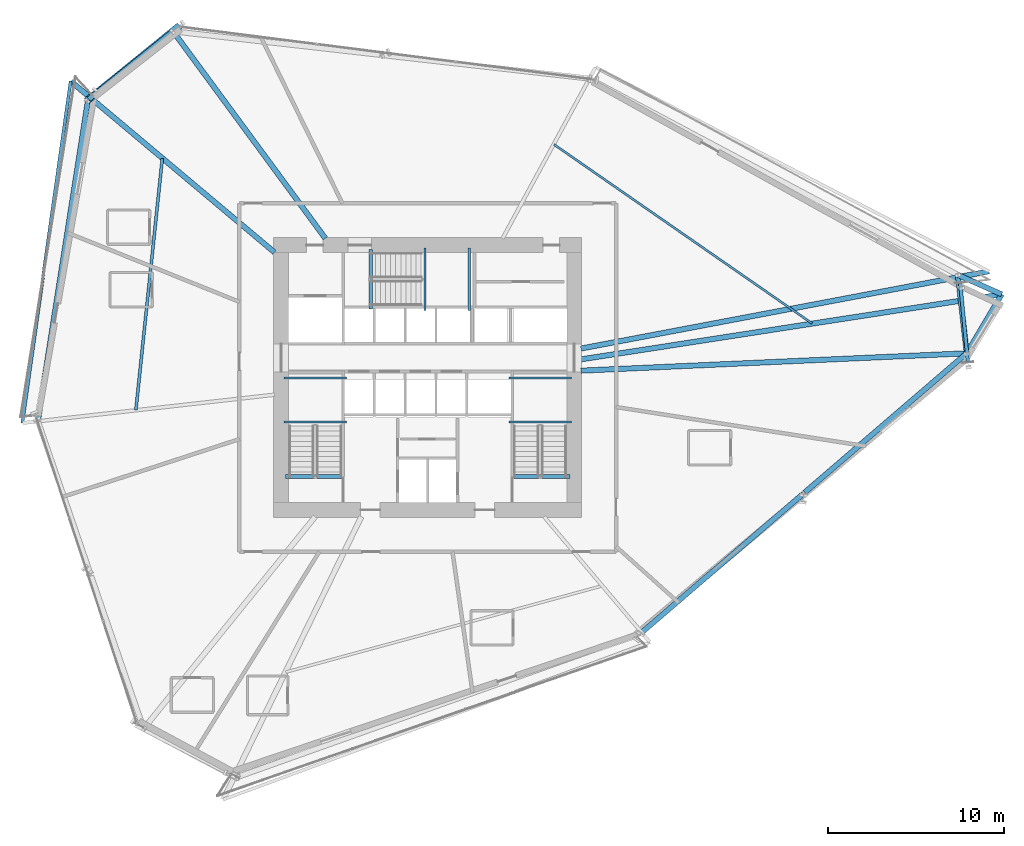
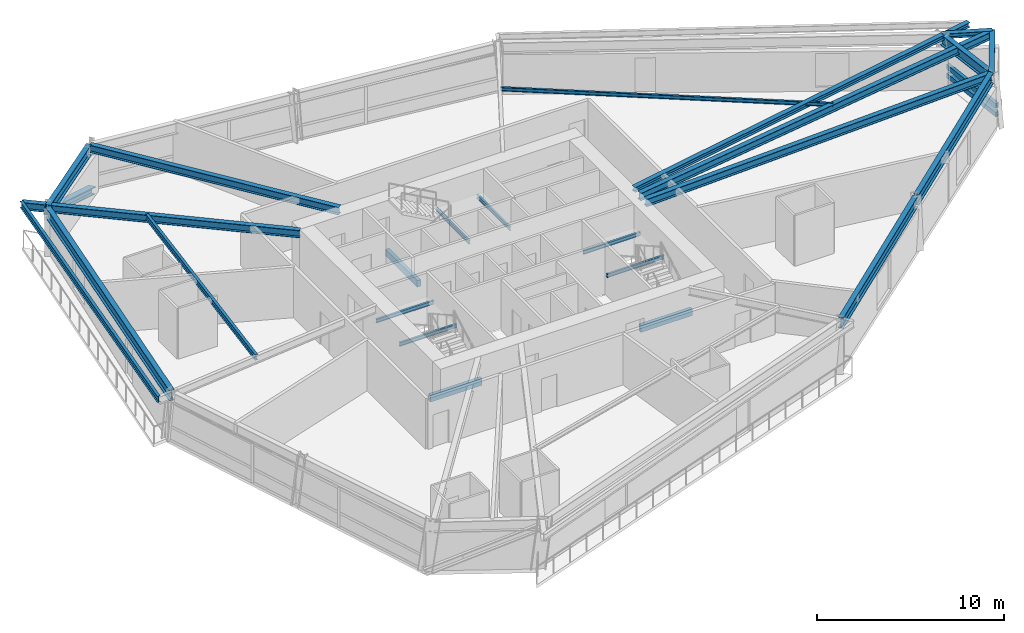
# One storey, part 7 of 22: 24 beams, 3 members.
"""IFC4 building model written with IfcOpenShell, lengths in metres."""

from ifc_helpers import new_model, si_unit, direction, frame, origin, origin_2d, place, context, subcontext, project, spatial, rectangle, hollow_rectangle, i_section, extrude, source, transform, mapped, material, material_profile, profile_set, type_object, element, save


model = new_model("IFC4")

# Units and contexts
model_context = context("Model", 3, precision=1e-05, world=origin(), true_north=direction((0.0, 1.0)))
body_context = subcontext(model_context, "Body", "Model", "MODEL_VIEW")
ifc_project = project(units=[si_unit("LENGTHUNIT", "METRE"), si_unit("AREAUNIT", "SQUARE_METRE"), si_unit("VOLUMEUNIT", "CUBIC_METRE"), si_unit("PLANEANGLEUNIT", "RADIAN"), si_unit("MASSUNIT", "GRAM", prefix="KILO")], contexts=[model_context])

# Site, building, storey
site_placement = place(None, origin())
site = spatial("IfcSite", under=ifc_project, at=site_placement, CompositionType="ELEMENT")
building_placement = place(site_placement, origin())
building = spatial("IfcBuilding", under=site, at=building_placement, Name="Olszyna Solenne Hotel", CompositionType="ELEMENT")
storey_placement = place(building_placement, frame((0.0, 0.0, 57.699951171875)))
storey = spatial("IfcBuildingStorey", under=building, at=storey_placement, Name="L14", CompositionType="ELEMENT", Elevation=57.699951171875)

# Beams
ifc_material_1 = material(Name="Steel S355J2", Category="steel")
ifc_material_profile_1 = material_profile(ifc_material_1, i_section(OverallWidth=0.300048828125, OverallDepth=0.699951171875, WebThickness=0.01708984375, FlangeThickness=0.031982421875, at=origin_2d()), Name="HEB 700", Category="load-bearing")
ifc_profile_set_1 = profile_set([ifc_material_profile_1], Name="Steel S355J2")
beam_type_1 = type_object("IfcBeamType", Name="BM-S1", PredefinedType="BEAM", material=ifc_profile_set_1)
shared_shape_1 = source(origin(), body_context, "Body", "SweptSolid", [
    extrude(i_section(OverallWidth=0.300048828125, OverallDepth=0.699951171875, WebThickness=0.01708984375, FlangeThickness=0.031982421875, at=origin_2d()), origin(), (0.0, 0.0, 1.0), 4.3583984375),
])
beam_1_placement = place(storey_placement, frame((68.622802734375, 28.038818359375, 2.949951171875), z_axis=(-0.112367964897, 0.993666664664, 0.0), x_axis=(-0.993666664664, -0.112367964897, 0.0)))
element("IfcBeam", 1, at=beam_1_placement, inside=storey, type_object=beam_type_1, Name="Perimeter spandrel beam BM-S1 B-L14-0436", PredefinedType="BEAM", context=body_context, shape_type="MappedRepresentation", body=[
    mapped(shared_shape_1, transform((0.0, 0.0, 0.0), x_axis=(1.0, 0.0, 0.0), y_axis=(0.0, 1.0, 0.0), z_axis=(0.0, 0.0, 1.0), scale=1.0)),
])
shared_shape_2 = source(origin(), body_context, "Body", "SweptSolid", [
    extrude(i_section(OverallWidth=0.300048828125, OverallDepth=0.699951171875, WebThickness=0.01708984375, FlangeThickness=0.031982421875, at=origin_2d()), origin(), (0.0, 0.0, 1.0), 6.086669921875),
])
beam_2_placement = place(storey_placement, frame((23.480712890625, 46.23681640625, 2.949951171875), z_axis=(-0.778232179237, -0.627976651795, 0.0), x_axis=(0.627976651795, -0.778232179237, 0.0)))
element("IfcBeam", 2, at=beam_2_placement, inside=storey, type_object=beam_type_1, Name="Perimeter spandrel beam BM-S1 B-L14-0440", PredefinedType="BEAM", context=body_context, shape_type="MappedRepresentation", body=[
    mapped(shared_shape_2, transform((0.0, 0.0, 0.0), x_axis=(1.0, 0.0, 0.0), y_axis=(0.0, 1.0, 0.0), z_axis=(0.0, 0.0, 1.0), scale=1.0)),
])
shared_shape_3 = source(origin(), body_context, "Body", "SweptSolid", [
    extrude(i_section(OverallWidth=0.300048828125, OverallDepth=0.699951171875, WebThickness=0.01708984375, FlangeThickness=0.031982421875, at=origin_2d()), origin(), (0.0, 0.0, 1.0), 18.35791015625),
])
beam_3_placement = place(storey_placement, frame((18.68798828125, 42.3173828125, 2.949951171875), z_axis=(-0.154228396376, -0.988035222931, 0.0), x_axis=(0.988035222931, -0.154228396376, 0.0)))
element("IfcBeam", 3, at=beam_3_placement, inside=storey, type_object=beam_type_1, Name="Perimeter spandrel beam BM-S1 B-L14-0441", PredefinedType="BEAM", context=body_context, shape_type="MappedRepresentation", body=[
    mapped(shared_shape_3, transform((0.0, 0.0, 0.0), x_axis=(1.0, 0.0, 0.0), y_axis=(0.0, 1.0, 0.0), z_axis=(0.0, 0.0, 1.0), scale=1.0)),
])
shared_shape_4 = source(origin(), body_context, "Body", "SweptSolid", [
    extrude(i_section(OverallWidth=0.300048828125, OverallDepth=0.699951171875, WebThickness=0.01708984375, FlangeThickness=0.031982421875, at=origin_2d()), origin(), (0.0, 0.0, 1.0), 12.07275390625),
])
beam_4_placement = place(storey_placement, frame((50.17529296875, 12.131103515625, 2.949951171875), z_axis=(0.758643883929, 0.651505531348, 0.0), x_axis=(-0.651505531348, 0.758643883929, 0.0)))
element("IfcBeam", 4, at=beam_4_placement, inside=storey, type_object=beam_type_1, Name="Perimeter spandrel beam BM-S1 B-L14-0446", PredefinedType="BEAM", context=body_context, shape_type="MappedRepresentation", body=[
    mapped(shared_shape_4, transform((0.0, 0.0, 0.0), x_axis=(1.0, 0.0, 0.0), y_axis=(0.0, 1.0, 0.0), z_axis=(0.0, 0.0, 1.0), scale=1.0)),
])
shared_shape_5 = source(origin(), body_context, "Body", "SweptSolid", [
    extrude(i_section(OverallWidth=0.300048828125, OverallDepth=0.699951171875, WebThickness=0.01708984375, FlangeThickness=0.031982421875, at=origin_2d()), origin(), (0.0, 0.0, 1.0), 12.072509765625),
])
beam_5_placement = place(storey_placement, frame((59.42529296875, 20.07470703125, 2.949951171875), z_axis=(0.758635300136, 0.65151552659, 0.0), x_axis=(-0.65151552659, 0.758635300136, 0.0)))
element("IfcBeam", 5, at=beam_5_placement, inside=storey, type_object=beam_type_1, Name="Perimeter spandrel beam BM-S1 B-L14-0447", PredefinedType="BEAM", context=body_context, shape_type="MappedRepresentation", body=[
    mapped(shared_shape_5, transform((0.0, 0.0, 0.0), x_axis=(1.0, 0.0, 0.0), y_axis=(0.0, 1.0, 0.0), z_axis=(0.0, 0.0, 1.0), scale=1.0)),
])
ifc_material_profile_2 = material_profile(ifc_material_1, i_section(OverallWidth=0.300048828125, OverallDepth=0.489990234375, WebThickness=0.011962890625, FlangeThickness=0.02294921875, at=origin_2d()), Name="HEA 500", Category="load-bearing")
ifc_profile_set_2 = profile_set([ifc_material_profile_2], Name="Steel S355J2")
beam_type_2 = type_object("IfcBeamType", Name="BM-G1", PredefinedType="BEAM", material=ifc_profile_set_2)
shared_shape_6 = source(origin(), body_context, "Body", "SweptSolid", [
    extrude(i_section(OverallWidth=0.300048828125, OverallDepth=0.489990234375, WebThickness=0.011962890625, FlangeThickness=0.02294921875, at=origin_2d()), origin(), (0.0, 0.0, 1.0), 21.8916015625),
])
beam_6_placement = place(storey_placement, frame((68.569580078125, 27.9765625, 3.054931640625), z_axis=(-0.998987514529, -0.044988285314, 0.0), x_axis=(0.044988285314, -0.998987514529, 0.0)))
element("IfcBeam", 6, at=beam_6_placement, inside=storey, type_object=beam_type_2, Name="Radial floor girder BM-G1 B-L14-0448", PredefinedType="BEAM", context=body_context, shape_type="MappedRepresentation", body=[
    mapped(shared_shape_6, transform((0.0, 0.0, 0.0), x_axis=(1.0, 0.0, 0.0), y_axis=(0.0, 1.0, 0.0), z_axis=(0.0, 0.0, 1.0), scale=1.0)),
])
shared_shape_7 = source(origin(), body_context, "Body", "SweptSolid", [
    extrude(i_section(OverallWidth=0.300048828125, OverallDepth=0.489990234375, WebThickness=0.011962890625, FlangeThickness=0.02294921875, at=origin_2d()), origin(), (0.0, 0.0, 1.0), 24.179443359375),
])
beam_7_placement = place(storey_placement, frame((70.595947265625, 31.32568359375, 3.054931640625), z_axis=(-0.988265233587, -0.152747596, 0.0), x_axis=(0.152747596, -0.988265233587, 0.0)))
element("IfcBeam", 7, at=beam_7_placement, inside=storey, type_object=beam_type_2, Name="Radial floor girder BM-G1 B-L14-0449", PredefinedType="BEAM", context=body_context, shape_type="MappedRepresentation", body=[
    mapped(shared_shape_7, transform((0.0, 0.0, 0.0), x_axis=(1.0, 0.0, 0.0), y_axis=(0.0, 1.0, 0.0), z_axis=(0.0, 0.0, 1.0), scale=1.0)),
])
shared_shape_8 = source(origin(), body_context, "Body", "SweptSolid", [
    extrude(i_section(OverallWidth=0.300048828125, OverallDepth=0.489990234375, WebThickness=0.011962890625, FlangeThickness=0.02294921875, at=origin_2d()), origin(), (0.0, 0.0, 1.0), 14.545166015625),
])
beam_8_placement = place(storey_placement, frame((23.56298828125, 46.226318359375, 3.054931640625), z_axis=(0.592548413392, -0.805534839586, 0.0), x_axis=(0.805534839586, 0.592548413392, 0.0)))
element("IfcBeam", 8, at=beam_8_placement, inside=storey, type_object=beam_type_2, Name="Radial floor girder BM-G1 B-L14-0451", PredefinedType="BEAM", context=body_context, shape_type="MappedRepresentation", body=[
    mapped(shared_shape_8, transform((0.0, 0.0, 0.0), x_axis=(1.0, 0.0, 0.0), y_axis=(0.0, 1.0, 0.0), z_axis=(0.0, 0.0, 1.0), scale=1.0)),
])
shared_shape_9 = source(origin(), body_context, "Body", "SweptSolid", [
    extrude(i_section(OverallWidth=0.300048828125, OverallDepth=0.489990234375, WebThickness=0.011962890625, FlangeThickness=0.02294921875, at=origin_2d()), origin(), (0.0, 0.0, 1.0), 15.098388671875),
])
beam_9_placement = place(storey_placement, frame((17.72509765625, 43.427978515625, 3.054931640625), z_axis=(0.765892774399, -0.642968318134, 0.0), x_axis=(0.642968318134, 0.765892774399, 0.0)))
element("IfcBeam", 9, at=beam_9_placement, inside=storey, type_object=beam_type_2, Name="Radial floor girder BM-G1 B-L14-0452", PredefinedType="BEAM", context=body_context, shape_type="MappedRepresentation", body=[
    mapped(shared_shape_9, transform((0.0, 0.0, 0.0), x_axis=(1.0, 0.0, 0.0), y_axis=(0.0, 1.0, 0.0), z_axis=(0.0, 0.0, 1.0), scale=1.0)),
])
ifc_material_profile_3 = material_profile(ifc_material_1, i_section(OverallWidth=0.300048828125, OverallDepth=0.31005859375, WebThickness=0.009033203125, FlangeThickness=0.015380859375, at=origin_2d()), Name="HEA 320", Category="load-bearing")
ifc_profile_set_3 = profile_set([ifc_material_profile_3], Name="Steel S355J2")
beam_type_3 = type_object("IfcBeamType", Name="BM-G3", PredefinedType="BEAM", material=ifc_profile_set_3)
shared_shape_10 = source(origin(), body_context, "Body", "SweptSolid", [
    extrude(i_section(OverallWidth=0.300048828125, OverallDepth=0.31005859375, WebThickness=0.009033203125, FlangeThickness=0.015380859375, at=origin_2d()), origin(), (0.0, 0.0, 1.0), 3.89404296875),
])
beam_10_placement = place(storey_placement, frame((68.629638671875, 27.979248046875, 3.14501953125), z_axis=(0.510017189507, 0.860164208978, 0.0), x_axis=(-0.860164208978, 0.510017189507, 0.0)))
element("IfcBeam", 10, at=beam_10_placement, inside=storey, type_object=beam_type_3, Name="Prism side edge beam BM-G3 B-L14-0457", PredefinedType="BEAM", context=body_context, shape_type="MappedRepresentation", body=[
    mapped(shared_shape_10, transform((0.0, 0.0, 0.0), x_axis=(1.0, 0.0, 0.0), y_axis=(0.0, 1.0, 0.0), z_axis=(0.0, 0.0, 1.0), scale=1.0)),
])
shared_shape_11 = source(origin(), body_context, "Body", "SweptSolid", [
    extrude(i_section(OverallWidth=0.300048828125, OverallDepth=0.31005859375, WebThickness=0.009033203125, FlangeThickness=0.015380859375, at=origin_2d()), origin(), (0.0, 0.0, 1.0), 2.7216796875),
])
beam_11_placement = place(storey_placement, frame((68.12646484375, 32.42919921875, 3.14501953125), z_axis=(0.914627210646, -0.404298238366, 0.0), x_axis=(0.404298238366, 0.914627210646, 0.0)))
element("IfcBeam", 11, at=beam_11_placement, inside=storey, type_object=beam_type_3, Name="Prism side edge beam BM-G3 B-L14-0458", PredefinedType="BEAM", context=body_context, shape_type="MappedRepresentation", body=[
    mapped(shared_shape_11, transform((0.0, 0.0, 0.0), x_axis=(1.0, 0.0, 0.0), y_axis=(0.0, 1.0, 0.0), z_axis=(0.0, 0.0, 1.0), scale=1.0)),
])
shared_shape_12 = source(origin(), body_context, "Body", "SweptSolid", [
    extrude(i_section(OverallWidth=0.300048828125, OverallDepth=0.31005859375, WebThickness=0.009033203125, FlangeThickness=0.015380859375, at=origin_2d()), origin(), (0.0, 0.0, 1.0), 23.60595703125),
])
beam_12_placement = place(storey_placement, frame((69.89501953125, 32.6376953125, 3.14501953125), z_axis=(-0.982550481813, -0.185996103964, 0.0), x_axis=(0.185996103964, -0.982550481813, 0.0)))
element("IfcBeam", 12, at=beam_12_placement, inside=storey, type_object=beam_type_3, Name="Loggia/prism radial back-span girder BM-G3 B-L14-0459", PredefinedType="BEAM", context=body_context, shape_type="MappedRepresentation", body=[
    mapped(shared_shape_12, transform((0.0, 0.0, 0.0), x_axis=(1.0, 0.0, 0.0), y_axis=(0.0, 1.0, 0.0), z_axis=(0.0, 0.0, 1.0), scale=1.0)),
])
ifc_material_profile_4 = material_profile(ifc_material_1, i_section(OverallWidth=0.1201171875, OverallDepth=0.239990234375, WebThickness=0.006103515625, FlangeThickness=0.009765625, at=origin_2d()), Name="IPE 240", Category="load-bearing")
ifc_profile_set_4 = profile_set([ifc_material_profile_4], Name="Steel S355J2")
beam_type_4 = type_object("IfcBeamType", Name="JS-03", PredefinedType="JOIST", material=ifc_profile_set_4)
shared_shape_13 = source(origin(), body_context, "Body", "SweptSolid", [
    extrude(i_section(OverallWidth=0.1201171875, OverallDepth=0.239990234375, WebThickness=0.006103515625, FlangeThickness=0.009765625, at=origin_2d()), origin(), (0.0, 0.0, 1.0), 17.84326171875),
])
beam_13_placement = place(storey_placement, frame((59.83740234375, 29.6767578125, 3.179931640625), z_axis=(-0.821730383004, 0.569876458233, 0.0), x_axis=(-0.569876458233, -0.821730383004, 0.0)))
element("IfcBeam", 13, at=beam_13_placement, inside=storey, type_object=beam_type_4, Name="Secondary composite floor joist JS-03 B-L14-0460", PredefinedType="JOIST", context=body_context, shape_type="MappedRepresentation", body=[
    mapped(shared_shape_13, transform((0.0, 0.0, 0.0), x_axis=(1.0, 0.0, 0.0), y_axis=(0.0, 1.0, 0.0), z_axis=(0.0, 0.0, 1.0), scale=1.0)),
])
ifc_material_profile_5 = material_profile(ifc_material_1, i_section(OverallWidth=0.169921875, OverallDepth=0.360107421875, WebThickness=0.008056640625, FlangeThickness=0.0126953125, at=origin_2d()), Name="IPE 360", Category="load-bearing")
ifc_profile_set_5 = profile_set([ifc_material_profile_5], Name="Steel S355J2")
beam_type_5 = type_object("IfcBeamType", Name="JS-01", PredefinedType="JOIST", material=ifc_profile_set_5)
shared_shape_14 = source(origin(), body_context, "Body", "SweptSolid", [
    extrude(i_section(OverallWidth=0.169921875, OverallDepth=0.360107421875, WebThickness=0.008056640625, FlangeThickness=0.0126953125, at=origin_2d()), origin(), (0.0, 0.0, 1.0), 14.365234375),
])
beam_14_placement = place(storey_placement, frame((22.918212890625, 39.046630859375, 3.1201171875), z_axis=(-0.104520232689, -0.994522760403, 0.0), x_axis=(0.994522760403, -0.104520232689, 0.0)))
element("IfcBeam", 14, at=beam_14_placement, inside=storey, type_object=beam_type_5, Name="Secondary composite floor joist JS-01 B-L14-0461", PredefinedType="JOIST", context=body_context, shape_type="MappedRepresentation", body=[
    mapped(shared_shape_14, transform((0.0, 0.0, 0.0), x_axis=(1.0, 0.0, 0.0), y_axis=(0.0, 1.0, 0.0), z_axis=(0.0, 0.0, 1.0), scale=1.0)),
])
ifc_material_profile_6 = material_profile(ifc_material_1, i_section(OverallWidth=0.179931640625, OverallDepth=0.39990234375, WebThickness=0.008544921875, FlangeThickness=0.013427734375, at=origin_2d()), Name="IPE 400", Category="load-bearing")
ifc_profile_set_6 = profile_set([ifc_material_profile_6], Name="Steel S355J2")
beam_type_6 = type_object("IfcBeamType", Name="BM-F5", PredefinedType="BEAM", material=ifc_profile_set_6)
shared_shape_15 = source(origin(), body_context, "Body", "SweptSolid", [
    extrude(i_section(OverallWidth=0.179931640625, OverallDepth=0.39990234375, WebThickness=0.008544921875, FlangeThickness=0.013427734375, at=origin_2d()), origin(), (0.0, 0.0, 1.0), 19.618408203125),
])
beam_15_placement = place(storey_placement, frame((17.709716796875, 43.44091796875, 3.10009765625), z_axis=(-0.139999561528, -0.990151565556, 0.0), x_axis=(0.990151565556, -0.139999561528, 0.0)))
element("IfcBeam", 15, at=beam_15_placement, inside=storey, type_object=beam_type_6, Name="Loggia outer edge beam BM-F5 B-L14-0464", PredefinedType="BEAM", context=body_context, shape_type="MappedRepresentation", body=[
    mapped(shared_shape_15, transform((0.0, 0.0, 0.0), x_axis=(1.0, 0.0, 0.0), y_axis=(0.0, 1.0, 0.0), z_axis=(0.0, 0.0, 1.0), scale=1.0)),
])

# Members
ifc_material_profile_7 = material_profile(ifc_material_1, hollow_rectangle(XDim=0.199951171875, YDim=0.300048828125, WallThickness=0.01611328125, at=origin_2d()), Name="RHS 300x200x16", Category="load-bearing")
ifc_profile_set_7 = profile_set([ifc_material_profile_7], Name="Steel S355J2")
member_type_1 = type_object("IfcMemberType", Name="CH-PR1", PredefinedType="CHORD", material=ifc_profile_set_7)
shared_shape_16 = source(origin(), body_context, "Body", "SweptSolid", [
    extrude(hollow_rectangle(XDim=0.199951171875, YDim=0.300048828125, WallThickness=0.01611328125, at=origin_2d()), origin(), (0.0, 0.0, 1.0), 4.5166015625),
])
for number, where, z_axis, x_axis, name in (
    (16, (68.693115234375, 27.483642578125, 1.35009765625), (-0.096704244049, 0.995313161363, 0.0), (-0.995313161363, -0.096704244049, 0.0), "Glass-prism tie chord CH-PR1 M-L14-PR1"),
    (17, (68.693115234375, 27.483642578125, 0.780029296875), (-0.096704244049, 0.995313161363, 0.0), (-0.995313161363, -0.096704244049, 0.0), "Glass-prism tie chord CH-PR1 M-L14-PR2"),
):
    element("IfcMember", number, at=place(storey_placement, frame(where, z_axis=z_axis, x_axis=x_axis)), inside=storey, type_object=member_type_1, Name=name, PredefinedType="CHORD", context=body_context, shape_type="MappedRepresentation", body=[
        mapped(shared_shape_16, transform((0.0, 0.0, 0.0), x_axis=(1.0, 0.0, 0.0), y_axis=(0.0, 1.0, 0.0), z_axis=(0.0, 0.0, 1.0), scale=1.0)),
    ])
ifc_material_2 = material(Name="Steel S460M", Category="steel")
ifc_material_profile_8 = material_profile(ifc_material_2, i_section(OverallWidth=0.412109375, OverallDepth=0.43505859375, WebThickness=0.031494140625, FlangeThickness=0.050048828125, at=origin_2d()), Name="HD 400x463", Category="load-bearing")
ifc_profile_set_8 = profile_set([ifc_material_profile_8], Name="Steel S460M")
member_type_2 = type_object("IfcMemberType", Name="BR-T1", PredefinedType="BRACE", material=ifc_profile_set_8)
shared_shape_17 = source(origin(), body_context, "Body", "SweptSolid", [
    extrude(i_section(OverallWidth=0.412109375, OverallDepth=0.43505859375, WebThickness=0.031494140625, FlangeThickness=0.050048828125, at=origin_2d()), origin(), (0.0, 0.0, 1.0), 7.221923828125),
])
member_placement = place(storey_placement, frame((23.835693359375, 46.537841796875, 0.010009765625), z_axis=(-0.711493929644, -0.576172496643, 0.402245748507), x_axis=(0.629330993794, -0.777137375404, 0.0)))
element("IfcMember", 18, at=member_placement, inside=storey, type_object=member_type_2, Name="Perimeter braced-tube diagonal BR-T1 BR-L14-2", PredefinedType="BRACE", context=body_context, shape_type="MappedRepresentation", body=[
    mapped(shared_shape_17, transform((0.0, 0.0, 0.0), x_axis=(1.0, 0.0, 0.0), y_axis=(0.0, 1.0, 0.0), z_axis=(0.0, 0.0, 1.0), scale=1.0)),
])

# Beams
shared_shape_18 = source(origin(), body_context, "Body", "SweptSolid", [
    extrude(i_section(OverallWidth=0.1201171875, OverallDepth=0.239990234375, WebThickness=0.006103515625, FlangeThickness=0.009765625, at=origin_2d()), origin(), (0.0, 0.0, 1.0), 3.539794921875),
])
for number, where, z_axis, x_axis, name in (
    (19, (33.3798828125, 24.070068359375, 1.449951171875), (-1.0, 0.0, 0.0), (0.0, -1.0, 0.0), "Stair landing support beam JS-03 SLB-ST1-0033"),
    (20, (33.3798828125, 26.580078125, 1.449951171875), (-1.0, 0.0, 0.0), (0.0, -1.0, 0.0), "Stair landing support beam JS-03 SLB-ST1-0034"),
    (21, (46.159912109375, 24.070068359375, 1.449951171875), (-1.0, 0.0, 0.0), (0.0, -1.0, 0.0), "Stair landing support beam JS-03 SLB-ST2-0273"),
    (22, (46.159912109375, 26.580078125, 1.449951171875), (-1.0, 0.0, 0.0), (0.0, -1.0, 0.0), "Stair landing support beam JS-03 SLB-ST2-0274"),
):
    element("IfcBeam", number, at=place(storey_placement, frame(where, z_axis=z_axis, x_axis=x_axis)), inside=storey, type_object=beam_type_4, Name=name, PredefinedType="JOIST", context=body_context, shape_type="MappedRepresentation", body=[
        mapped(shared_shape_18, transform((0.0, 0.0, 0.0), x_axis=(1.0, 0.0, 0.0), y_axis=(0.0, 1.0, 0.0), z_axis=(0.0, 0.0, 1.0), scale=1.0)),
    ])
ifc_material_3 = material(Name="Concrete C50/60", Category="concrete")
ifc_material_profile_9 = material_profile(ifc_material_3, rectangle(XDim=0.219970703125, YDim=0.43994140625, at=origin_2d()), Name="RC 220x440", Category="load-bearing")
ifc_profile_set_9 = profile_set([ifc_material_profile_9], Name="Concrete C50/60")
beam_type_7 = type_object("IfcBeamType", Name="BM-ST1", PredefinedType="BEAM", material=ifc_profile_set_9)
shared_shape_19 = source(origin(), body_context, "Body", "SweptSolid", [
    extrude(rectangle(XDim=0.219970703125, YDim=0.43994140625, at=origin_2d()), origin(), (0.0, 0.0, 1.0), 3.18017578125),
])
for number, where, z_axis, x_axis, name in (
    (23, (33.10009765625, 20.97998046875, -0.204833984375), (-1.0, 0.0, 0.0), (0.0, -1.0, 0.0), "Concrete stair trimmer beam BM-ST1 SHB-ST1-0176"),
    (24, (46.080078125, 20.97998046875, -0.204833984375), (-1.0, 0.0, 0.0), (0.0, -1.0, 0.0), "Concrete stair trimmer beam BM-ST1 SHB-ST2-0416"),
):
    element("IfcBeam", number, at=place(storey_placement, frame(where, z_axis=z_axis, x_axis=x_axis)), inside=storey, type_object=beam_type_7, Name=name, PredefinedType="BEAM", context=body_context, shape_type="MappedRepresentation", body=[
        mapped(shared_shape_19, transform((0.0, 0.0, 0.0), x_axis=(1.0, 0.0, 0.0), y_axis=(0.0, 1.0, 0.0), z_axis=(0.0, 0.0, 1.0), scale=1.0)),
    ])
shared_shape_20 = source(origin(), body_context, "Body", "SweptSolid", [
    extrude(i_section(OverallWidth=0.1201171875, OverallDepth=0.239990234375, WebThickness=0.006103515625, FlangeThickness=0.009765625, at=origin_2d()), origin(), (0.0, 0.0, 1.0), 3.5400390625),
])
for number, where, z_axis, x_axis, name in (
    (25, (37.85009765625, 30.419921875, 1.449951171875), (0.0, 1.0, 0.0), (-1.0, 0.0, 0.0), "Stair landing support beam JS-03 SLB-ST3-0513"),
    (26, (40.360107421875, 30.419921875, 1.449951171875), (0.0, 1.0, 0.0), (-1.0, 0.0, 0.0), "Stair landing support beam JS-03 SLB-ST3-0514"),
):
    element("IfcBeam", number, at=place(storey_placement, frame(where, z_axis=z_axis, x_axis=x_axis)), inside=storey, type_object=beam_type_4, Name=name, PredefinedType="JOIST", context=body_context, shape_type="MappedRepresentation", body=[
        mapped(shared_shape_20, transform((0.0, 0.0, 0.0), x_axis=(1.0, 0.0, 0.0), y_axis=(0.0, 1.0, 0.0), z_axis=(0.0, 0.0, 1.0), scale=1.0)),
    ])
shared_shape_21 = source(origin(), body_context, "Body", "SweptSolid", [
    extrude(rectangle(XDim=0.219970703125, YDim=0.43994140625, at=origin_2d()), origin(), (0.0, 0.0, 1.0), 3.3798828125),
])
beam_16_placement = place(storey_placement, frame((34.760009765625, 30.5, -0.204833984375), z_axis=(0.0, 1.0, 0.0), x_axis=(-1.0, 0.0, 0.0)))
element("IfcBeam", 27, at=beam_16_placement, inside=storey, type_object=beam_type_7, Name="Concrete stair trimmer beam BM-ST1 SHB-ST3-0654", PredefinedType="BEAM", context=body_context, shape_type="MappedRepresentation", body=[
    mapped(shared_shape_21, transform((0.0, 0.0, 0.0), x_axis=(1.0, 0.0, 0.0), y_axis=(0.0, 1.0, 0.0), z_axis=(0.0, 0.0, 1.0), scale=1.0)),
])

save(model, "model.ifc")
